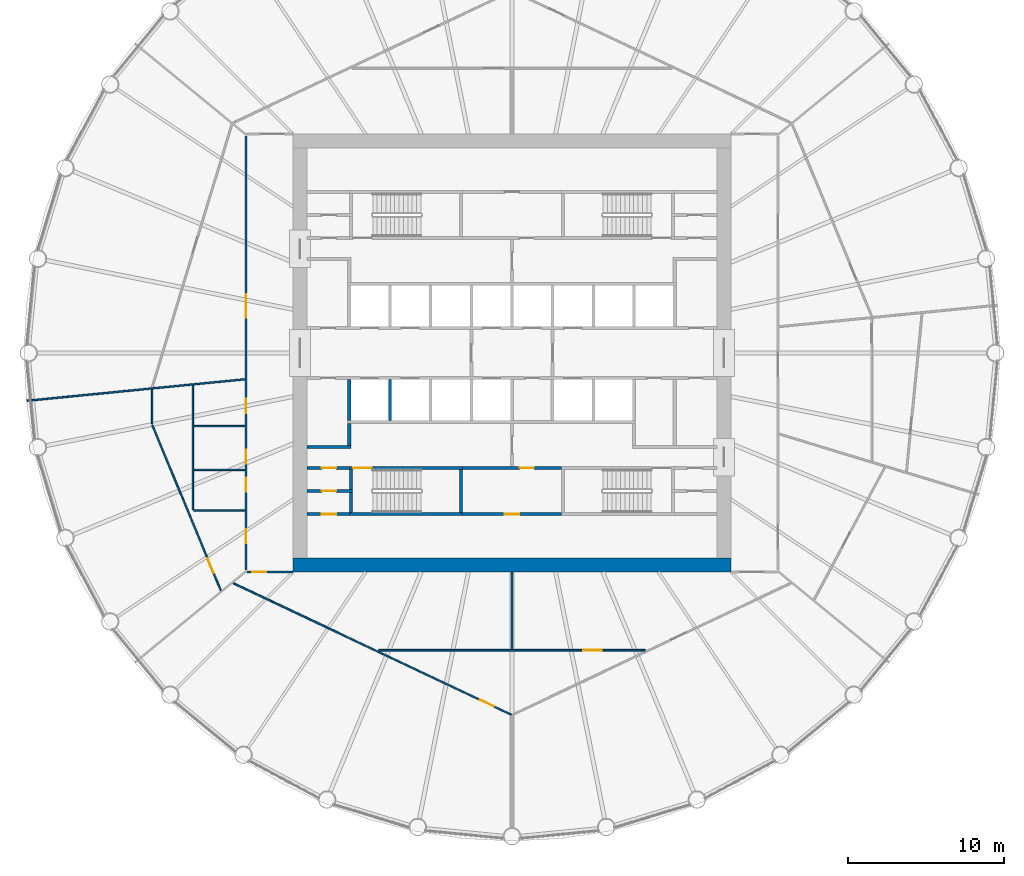
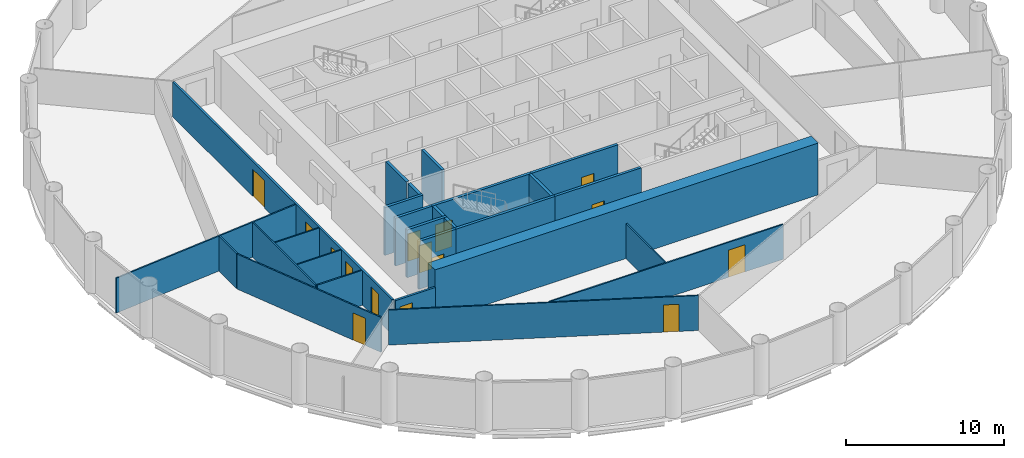
# One storey, part 4 of 9: 27 walls, 15 doors, 15 openings.
"""IFC4 building model written with IfcOpenShell, lengths in metres."""

from ifc_helpers import new_model, si_unit, direction, frame, frame_2d, origin, place, context, subcontext, project, spatial, polyline, rectangle, outline, extrude, material, layer, layer_set, type_object, element, fill, save


model = new_model("IFC4")

# Units and contexts
model_context = context("Model", 3, precision=1e-05, world=origin(), true_north=direction((0.0, 1.0)))
body_context = subcontext(model_context, "Body", "Model", "MODEL_VIEW")
ifc_project = project(units=[si_unit("LENGTHUNIT", "METRE"), si_unit("AREAUNIT", "SQUARE_METRE"), si_unit("VOLUMEUNIT", "CUBIC_METRE"), si_unit("PLANEANGLEUNIT", "RADIAN"), si_unit("MASSUNIT", "GRAM", prefix="KILO")], contexts=[model_context])

# Site, building, storey
site_placement = place(None, origin())
site = spatial("IfcSite", under=ifc_project, at=site_placement, CompositionType="ELEMENT")
building_placement = place(site_placement, origin())
building = spatial("IfcBuilding", under=site, at=building_placement, Name="Corvane Civic Tower", CompositionType="ELEMENT")
storey_placement = place(building_placement, frame((0.0, 0.0, 172.0)))
storey = spatial("IfcBuildingStorey", under=building, at=storey_placement, Name="L40", CompositionType="ELEMENT", Elevation=172.0)

# Wall
ifc_material_1 = material(Name="Concrete C60/75", Category="concrete")
ifc_layer_1 = layer(ifc_material_1, 0.89990234375)
ifc_layer_set_1 = layer_set([ifc_layer_1], Name="Concrete C60/75")
wall_type_1 = type_object("IfcWallType", Name="CORE WALL 900 C60/75", PredefinedType="SHEAR", material=ifc_layer_set_1)
wall_1_placement = place(storey_placement, frame((-14.0, -13.550048828125, 0.0), z_axis=(0.0, 0.0, 1.0), x_axis=(1.0, 0.0, 0.0)))
element("IfcWall", 1, at=wall_1_placement, inside=storey, type_object=wall_type_1, Name="W-L40-core-S", PredefinedType="SHEAR", context=body_context, shape_type="SweptSolid", body=[
    extrude(rectangle(XDim=28.0, YDim=0.89990234375, at=frame_2d((14.0, 0.0))), origin(), (0.0, 0.0, 1.0), 4.0),
])

# Wall, opening, door
ifc_material_2 = material(Name="Concrete C30/37", Category="concrete")
ifc_layer_2 = layer(ifc_material_2, 0.199951171875)
ifc_layer_set_2 = layer_set([ifc_layer_2], Name="Concrete C30/37")
wall_type_2 = type_object("IfcWallType", Name="CR-WALL-200", PredefinedType="PARTITIONING", material=ifc_layer_set_2)
wall_2_placement = place(storey_placement, frame((-13.10009765625, -10.300048828125, 0.0), z_axis=(0.0, 0.0, 1.0), x_axis=(1.0, 0.0, 0.0)))
wall_2 = element("IfcWall", 2, at=wall_2_placement, inside=storey, type_object=wall_type_2, Name="L40 partition wall", PredefinedType="PARTITIONING", context=body_context, shape_type="SweptSolid", body=[
    extrude(rectangle(XDim=2.7001953125, YDim=0.199951171875, at=frame_2d((1.35009765625, 0.0))), origin(), (0.0, 0.0, 1.0), 3.699951171875),
])
opening_1_placement = place(wall_2_placement, frame((0.949951171875, 0.0, 0.0)))
opening_1 = element("IfcOpeningElement", 3, at=opening_1_placement, cuts=wall_2, Name="Opening L40.C15", PredefinedType="OPENING", context=body_context, shape_type="SweptSolid", body=[
    extrude(rectangle(XDim=0.89990234375, YDim=2.10009765625, at=frame_2d((0.449951171875, 1.050048828125))), frame((0.0, 0.10986328125, 0.0), z_axis=(0.0, -1.0, 0.0), x_axis=(1.0, 0.0, 0.0)), (0.0, 0.0, 1.0), 0.219970703125),
])
ifc_material_3 = material(Name="Steel fire door leaf", Category="steel")
door_type_1 = type_object("IfcDoorType", Name="CR-DOOR-900", OperationType="SINGLE_SWING_LEFT", PredefinedType="DOOR", material=ifc_material_3)
door_1_placement = place(opening_1_placement, origin())
door_1 = element("IfcDoor", 4, at=door_1_placement, inside=storey, type_object=door_type_1, Name="L40 door", OperationType="SINGLE_SWING_LEFT", OverallHeight=2.10009765625, OverallWidth=0.89990234375, PredefinedType="DOOR", context=body_context, shape_type="SweptSolid", body=[
    extrude(rectangle(XDim=0.89990234375, YDim=2.10009765625, at=frame_2d((0.449951171875, 1.050048828125))), frame((0.0, 0.02490234375, 0.0), z_axis=(0.0, -1.0, 0.0), x_axis=(1.0, 0.0, 0.0)), (0.0, 0.0, 1.0), 0.050048828125),
])
fill(opening_1, door_1)

wall_3_placement = place(storey_placement, frame((-3.14990234375, -10.300048828125, 0.0), z_axis=(0.0, 0.0, 1.0), x_axis=(1.0, 0.0, 0.0)))
wall_3 = element("IfcWall", 5, at=wall_3_placement, inside=storey, type_object=wall_type_2, Name="L40 partition wall", PredefinedType="PARTITIONING", context=body_context, shape_type="SweptSolid", body=[
    extrude(rectangle(XDim=6.2998046875, YDim=0.199951171875, at=frame_2d((3.14990234375, 0.0))), origin(), (0.0, 0.0, 1.0), 3.699951171875),
])
opening_2_placement = place(wall_3_placement, frame((2.699951171875, 0.0, 0.0)))
opening_2 = element("IfcOpeningElement", 6, at=opening_2_placement, cuts=wall_3, Name="Opening L40.C10", PredefinedType="OPENING", context=body_context, shape_type="SweptSolid", body=[
    extrude(rectangle(XDim=0.89990234375, YDim=2.10009765625, at=frame_2d((0.449951171875, 1.050048828125))), frame((0.0, 0.10986328125, 0.0), z_axis=(0.0, -1.0, 0.0), x_axis=(1.0, 0.0, 0.0)), (0.0, 0.0, 1.0), 0.219970703125),
])
door_2_placement = place(opening_2_placement, origin())
door_2 = element("IfcDoor", 7, at=door_2_placement, inside=storey, type_object=door_type_1, Name="L40 door", OperationType="SINGLE_SWING_LEFT", OverallHeight=2.10009765625, OverallWidth=0.89990234375, PredefinedType="DOOR", context=body_context, shape_type="SweptSolid", body=[
    extrude(rectangle(XDim=0.89990234375, YDim=2.10009765625, at=frame_2d((0.449951171875, 1.050048828125))), frame((0.0, 0.02490234375, 0.0), z_axis=(0.0, -1.0, 0.0), x_axis=(1.0, 0.0, 0.0)), (0.0, 0.0, 1.0), 0.050048828125),
])
fill(opening_2, door_2)

wall_4_placement = place(storey_placement, frame((-13.10009765625, -8.824951171875, 0.0), z_axis=(0.0, 0.0, 1.0), x_axis=(1.0, 0.0, 0.0)))
wall_4 = element("IfcWall", 8, at=wall_4_placement, inside=storey, type_object=wall_type_2, Name="L40 partition wall", PredefinedType="PARTITIONING", context=body_context, shape_type="SweptSolid", body=[
    extrude(rectangle(XDim=2.900146484375, YDim=0.199951171875, at=frame_2d((1.4501953125, 0.0))), origin(), (0.0, 0.0, 1.0), 3.699951171875),
])
opening_3_placement = place(wall_4_placement, frame((0.949951171875, 0.0, 0.0)))
opening_3 = element("IfcOpeningElement", 9, at=opening_3_placement, cuts=wall_4, Name="Opening L40.C14", PredefinedType="OPENING", context=body_context, shape_type="SweptSolid", body=[
    extrude(rectangle(XDim=0.89990234375, YDim=2.10009765625, at=frame_2d((0.449951171875, 1.050048828125))), frame((0.0, 0.10986328125, 0.0), z_axis=(0.0, -1.0, 0.0), x_axis=(1.0, 0.0, 0.0)), (0.0, 0.0, 1.0), 0.219970703125),
])
door_3_placement = place(opening_3_placement, origin())
door_3 = element("IfcDoor", 10, at=door_3_placement, inside=storey, type_object=door_type_1, Name="L40 door", OperationType="SINGLE_SWING_LEFT", OverallHeight=2.10009765625, OverallWidth=0.89990234375, PredefinedType="DOOR", context=body_context, shape_type="SweptSolid", body=[
    extrude(rectangle(XDim=0.89990234375, YDim=2.10009765625, at=frame_2d((0.449951171875, 1.050048828125))), frame((0.0, 0.02490234375, 0.0), z_axis=(0.0, -1.0, 0.0), x_axis=(1.0, 0.0, 0.0)), (0.0, 0.0, 1.0), 0.050048828125),
])
fill(opening_3, door_3)

wall_5_placement = place(storey_placement, frame((-13.10009765625, -7.35009765625, 0.0), z_axis=(0.0, 0.0, 1.0), x_axis=(1.0, 0.0, 0.0)))
wall_5 = element("IfcWall", 11, at=wall_5_placement, inside=storey, type_object=wall_type_2, Name="L40 core partition wall", PredefinedType="PARTITIONING", context=body_context, shape_type="SweptSolid", body=[
    extrude(rectangle(XDim=2.7001953125, YDim=0.199951171875, at=frame_2d((1.35009765625, 0.0))), origin(), (0.0, 0.0, 1.0), 3.699951171875),
])
opening_4_placement = place(wall_5_placement, frame((0.949951171875, 0.0, 0.0)))
opening_4 = element("IfcOpeningElement", 12, at=opening_4_placement, cuts=wall_5, Name="Opening L40.C13", PredefinedType="OPENING", context=body_context, shape_type="SweptSolid", body=[
    extrude(rectangle(XDim=0.89990234375, YDim=2.10009765625, at=frame_2d((0.449951171875, 1.050048828125))), frame((0.0, 0.10986328125, 0.0), z_axis=(0.0, -1.0, 0.0), x_axis=(1.0, 0.0, 0.0)), (0.0, 0.0, 1.0), 0.219970703125),
])
door_4_placement = place(opening_4_placement, origin())
door_4 = element("IfcDoor", 13, at=door_4_placement, inside=storey, type_object=door_type_1, Name="L40 door", OperationType="SINGLE_SWING_LEFT", OverallHeight=2.10009765625, OverallWidth=0.89990234375, PredefinedType="DOOR", context=body_context, shape_type="SweptSolid", body=[
    extrude(rectangle(XDim=0.89990234375, YDim=2.10009765625, at=frame_2d((0.449951171875, 1.050048828125))), frame((0.0, 0.02490234375, 0.0), z_axis=(0.0, -1.0, 0.0), x_axis=(1.0, 0.0, 0.0)), (0.0, 0.0, 1.0), 0.050048828125),
])
fill(opening_4, door_4)

wall_6_placement = place(storey_placement, frame((-3.14990234375, -7.35009765625, 0.0), z_axis=(0.0, 0.0, 1.0), x_axis=(1.0, 0.0, 0.0)))
wall_6 = element("IfcWall", 14, at=wall_6_placement, inside=storey, type_object=wall_type_2, Name="L40 partition wall", PredefinedType="PARTITIONING", context=body_context, shape_type="SweptSolid", body=[
    extrude(rectangle(XDim=6.2998046875, YDim=0.199951171875, at=frame_2d((3.14990234375, 0.0))), origin(), (0.0, 0.0, 1.0), 3.699951171875),
])
opening_5_placement = place(wall_6_placement, frame((3.64990234375, 0.0, 0.0)))
opening_5 = element("IfcOpeningElement", 15, at=opening_5_placement, cuts=wall_6, Name="Opening L40.C08", PredefinedType="OPENING", context=body_context, shape_type="SweptSolid", body=[
    extrude(rectangle(XDim=0.89990234375, YDim=2.10009765625, at=frame_2d((0.449951171875, 1.050048828125))), frame((0.0, 0.10986328125, 0.0), z_axis=(0.0, -1.0, 0.0), x_axis=(1.0, 0.0, 0.0)), (0.0, 0.0, 1.0), 0.219970703125),
])
door_5_placement = place(opening_5_placement, origin())
door_5 = element("IfcDoor", 16, at=door_5_placement, inside=storey, type_object=door_type_1, Name="L40 door", OperationType="SINGLE_SWING_LEFT", OverallHeight=2.10009765625, OverallWidth=0.89990234375, PredefinedType="DOOR", context=body_context, shape_type="SweptSolid", body=[
    extrude(rectangle(XDim=0.89990234375, YDim=2.10009765625, at=frame_2d((0.449951171875, 1.050048828125))), frame((0.0, 0.02490234375, 0.0), z_axis=(0.0, -1.0, 0.0), x_axis=(1.0, 0.0, 0.0)), (0.0, 0.0, 1.0), 0.050048828125),
])
fill(opening_5, door_5)

# Walls
wall_7_placement = place(storey_placement, origin())
element("IfcWall", 17, at=wall_7_placement, inside=storey, type_object=wall_type_2, Name="L40 core partition wall", PredefinedType="PARTITIONING", context=body_context, shape_type="SweptSolid", body=[
    extrude(outline(polyline([(-10.300048828125, -6.10009765625), (-13.10009765625, -6.10009765625), (-13.10009765625, -5.89990234375), (-10.300048828125, -5.89990234375), (-10.300048828125, -6.10009765625)])), origin(), (0.0, 0.0, 1.0), 3.699951171875),
])
wall_8_placement = place(storey_placement, origin())
element("IfcWall", 18, at=wall_8_placement, inside=storey, type_object=wall_type_2, Name="L40 core partition wall", PredefinedType="PARTITIONING", context=body_context, shape_type="SweptSolid", body=[
    extrude(outline(polyline([(-10.300048828125, -1.699951171875), (-10.300048828125, -4.2998046875), (-10.5, -4.2998046875), (-10.5, -1.699951171875), (-10.300048828125, -1.699951171875)])), origin(), (0.0, 0.0, 1.0), 3.699951171875),
])
wall_9_placement = place(storey_placement, origin())
element("IfcWall", 19, at=wall_9_placement, inside=storey, type_object=wall_type_2, Name="L40 core partition wall", PredefinedType="PARTITIONING", context=body_context, shape_type="SweptSolid", body=[
    extrude(outline(polyline([(-7.699951171875, -1.699951171875), (-7.699951171875, -4.2998046875), (-7.89990234375, -4.2998046875), (-7.89990234375, -1.699951171875), (-7.699951171875, -1.699951171875)])), origin(), (0.0, 0.0, 1.0), 3.699951171875),
])
wall_10_placement = place(storey_placement, origin())
element("IfcWall", 20, at=wall_10_placement, inside=storey, type_object=wall_type_2, Name="L40 core partition wall", PredefinedType="PARTITIONING", context=body_context, shape_type="SweptSolid", body=[
    extrude(outline(polyline([(-10.300048828125, -5.89990234375), (-10.5, -5.89990234375), (-10.5, -4.5), (-10.300048828125, -4.5), (-10.300048828125, -5.89990234375)])), origin(), (0.0, 0.0, 1.0), 3.699951171875),
])

# Wall, opening, door
ifc_material_4 = material(Name="Plasterboard")
ifc_layer_3 = layer(ifc_material_4, 0.10009765625)
ifc_layer_set_3 = layer_set([ifc_layer_3], Name="Plasterboard")
wall_type_3 = type_object("IfcWallType", Name="Partition 100 plasterboard on studs", PredefinedType="PARTITIONING", material=ifc_layer_set_3)
wall_11_placement = place(storey_placement, frame((-17.81640625, -14.714111328125, 0.0), z_axis=(0.0, 0.0, 1.0), x_axis=(0.903992844698, -0.427547584176, 0.0)))
wall_11 = element("IfcWall", 21, at=wall_11_placement, inside=storey, type_object=wall_type_3, Name="Partition L40.002", PredefinedType="PARTITIONING", context=body_context, shape_type="SweptSolid", body=[
    extrude(rectangle(XDim=19.677001953125, YDim=0.10009765625, at=frame_2d((9.83837890625, 0.0))), origin(), (0.0, 0.0, 1.0), 2.699951171875),
])
opening_6_placement = place(wall_11_placement, frame((17.44677734375, 0.0, 0.0)))
opening_6 = element("IfcOpeningElement", 22, at=opening_6_placement, cuts=wall_11, Name="Opening L40.007", PredefinedType="OPENING", context=body_context, shape_type="SweptSolid", body=[
    extrude(rectangle(XDim=1.0, YDim=2.10009765625, at=frame_2d((0.5, 1.050048828125))), frame((0.0, 0.06005859375, 0.0), z_axis=(0.0, -1.0, 0.0), x_axis=(1.0, 0.0, 0.0)), (0.0, 0.0, 1.0), 0.1201171875),
])
ifc_material_5 = material(Name="Timber", Category="wood")
door_type_2 = type_object("IfcDoorType", Name="Single door 1000", OperationType="NOTDEFINED", PredefinedType="DOOR", material=ifc_material_5)
door_6_placement = place(opening_6_placement, frame((1.0, 0.0, 0.0), z_axis=(0.0, 0.0, 1.0), x_axis=(-1.0, 0.0, 0.0)))
door_6 = element("IfcDoor", 23, at=door_6_placement, inside=storey, type_object=door_type_2, Name="Door L40.007", OperationType="SINGLE_SWING_LEFT", OverallHeight=2.10009765625, OverallWidth=1.0, PredefinedType="DOOR", context=body_context, shape_type="SweptSolid", body=[
    extrude(rectangle(XDim=1.0, YDim=2.10009765625, at=frame_2d((0.5, 1.050048828125))), frame((0.0, 0.02490234375, 0.0), z_axis=(0.0, -1.0, 0.0), x_axis=(1.0, 0.0, 0.0)), (0.0, 0.0, 1.0), 0.050048828125),
])
fill(opening_6, door_6)

wall_12_placement = place(storey_placement, frame((-8.53173828125, -19.0, 0.0), z_axis=(0.0, 0.0, 1.0), x_axis=(1.0, 0.0, 0.0)))
wall_12 = element("IfcWall", 24, at=wall_12_placement, inside=storey, type_object=wall_type_3, Name="Partition L40.006", PredefinedType="PARTITIONING", context=body_context, shape_type="SweptSolid", body=[
    extrude(rectangle(XDim=17.0634765625, YDim=0.10009765625, at=frame_2d((8.53173828125, 0.0))), origin(), (0.0, 0.0, 1.0), 2.699951171875),
])
opening_7_placement = place(wall_12_placement, frame((13.073974609375, 0.0, 0.0)))
opening_7 = element("IfcOpeningElement", 25, at=opening_7_placement, cuts=wall_12, Name="Opening L40.008", PredefinedType="OPENING", context=body_context, shape_type="SweptSolid", body=[
    extrude(rectangle(XDim=1.199951171875, YDim=2.10009765625, at=frame_2d((0.60009765625, 1.050048828125))), frame((0.0, 0.06005859375, 0.0), z_axis=(0.0, -1.0, 0.0), x_axis=(1.0, 0.0, 0.0)), (0.0, 0.0, 1.0), 0.1201171875),
])
ifc_material_6 = material(Name="Timber", Category="wood")
door_type_3 = type_object("IfcDoorType", Name="Double door 1200", OperationType="NOTDEFINED", PredefinedType="DOOR", material=ifc_material_6)
door_7_placement = place(opening_7_placement, frame((1.199951171875, 0.0, 0.0), z_axis=(0.0, 0.0, 1.0), x_axis=(-1.0, 0.0, 0.0)))
door_7 = element("IfcDoor", 26, at=door_7_placement, inside=storey, type_object=door_type_3, Name="Door L40.008", OperationType="DOUBLE_DOOR_SINGLE_SWING", OverallHeight=2.10009765625, OverallWidth=1.199951171875, PredefinedType="DOOR", context=body_context, shape_type="SweptSolid", body=[
    extrude(rectangle(XDim=1.199951171875, YDim=2.10009765625, at=frame_2d((0.60009765625, 1.050048828125))), frame((0.0, 0.02490234375, 0.0), z_axis=(0.0, -1.0, 0.0), x_axis=(1.0, 0.0, 0.0)), (0.0, 0.0, 1.0), 0.050048828125),
])
fill(opening_7, door_7)

# Wall
wall_13_placement = place(storey_placement, frame((0.0, -18.949951171875, 0.0), z_axis=(0.0, 0.0, 1.0), x_axis=(0.0, 1.0, 0.0)))
element("IfcWall", 27, at=wall_13_placement, inside=storey, type_object=wall_type_3, Name="Partition L40.007", PredefinedType="PARTITIONING", context=body_context, shape_type="SweptSolid", body=[
    extrude(rectangle(XDim=4.949951171875, YDim=0.10009765625, at=frame_2d((2.47509765625, 0.0))), origin(), (0.0, 0.0, 1.0), 2.699951171875),
])

# Wall, opening, door
wall_14_placement = place(storey_placement, frame((-22.99609375, -4.60107421875, 0.0), z_axis=(0.0, 0.0, 1.0), x_axis=(0.382686043077, -0.923878451115, 0.0)))
wall_14 = element("IfcWall", 28, at=wall_14_placement, inside=storey, type_object=wall_type_3, Name="Partition L40.009", PredefinedType="PARTITIONING", context=body_context, shape_type="SweptSolid", body=[
    extrude(rectangle(XDim=11.4609375, YDim=0.10009765625, at=frame_2d((5.73046875, 0.0))), origin(), (0.0, 0.0, 1.0), 2.699951171875),
])
opening_8_placement = place(wall_14_placement, frame((9.234619140625, 0.0, 0.0)))
opening_8 = element("IfcOpeningElement", 29, at=opening_8_placement, cuts=wall_14, Name="Opening L40.018", PredefinedType="OPENING", context=body_context, shape_type="SweptSolid", body=[
    extrude(rectangle(XDim=1.0, YDim=2.10009765625, at=frame_2d((0.5, 1.050048828125))), frame((0.0, 0.06005859375, 0.0), z_axis=(0.0, -1.0, 0.0), x_axis=(1.0, 0.0, 0.0)), (0.0, 0.0, 1.0), 0.1201171875),
])
door_8_placement = place(opening_8_placement, frame((1.0, 0.0, 0.0), z_axis=(0.0, 0.0, 1.0), x_axis=(-1.0, 0.0, 0.0)))
door_8 = element("IfcDoor", 30, at=door_8_placement, inside=storey, type_object=door_type_2, Name="Door L40.018", OperationType="SINGLE_SWING_RIGHT", OverallHeight=2.10009765625, OverallWidth=1.0, PredefinedType="DOOR", context=body_context, shape_type="SweptSolid", body=[
    extrude(rectangle(XDim=1.0, YDim=2.10009765625, at=frame_2d((0.5, 1.050048828125))), frame((0.0, 0.02490234375, 0.0), z_axis=(0.0, -1.0, 0.0), x_axis=(1.0, 0.0, 0.0)), (0.0, 0.0, 1.0), 0.050048828125),
])
fill(opening_8, door_8)

# Walls
wall_15_placement = place(storey_placement, frame((-20.35009765625, -10.074462890625, 0.0), z_axis=(0.0, 0.0, 1.0), x_axis=(1.0, 0.0, 0.0)))
element("IfcWall", 31, at=wall_15_placement, inside=storey, type_object=wall_type_3, Name="Partition L40.014", PredefinedType="PARTITIONING", context=body_context, shape_type="SweptSolid", body=[
    extrude(rectangle(XDim=3.275146484375, YDim=0.10009765625, at=frame_2d((1.6376953125, 0.0))), origin(), (0.0, 0.0, 1.0), 2.699951171875),
])
wall_16_placement = place(storey_placement, frame((-20.39990234375, -10.0244140625, 0.0), z_axis=(0.0, 0.0, 1.0), x_axis=(0.0, 1.0, 0.0)))
element("IfcWall", 32, at=wall_16_placement, inside=storey, type_object=wall_type_3, Name="Partition L40.015", PredefinedType="PARTITIONING", context=body_context, shape_type="SweptSolid", body=[
    extrude(rectangle(XDim=7.9599609375, YDim=0.10009765625, at=frame_2d((3.97998046875, 0.0))), origin(), (0.0, 0.0, 1.0), 2.699951171875),
])
for number, where, z_axis, x_axis, name in (
    (33, (-20.35009765625, -7.474365234375, 0.0), (0.0, 0.0, 1.0), (1.0, 0.0, 0.0), "Partition L40.018"),
    (34, (-20.35009765625, -4.67431640625, 0.0), (0.0, 0.0, 1.0), (1.0, 0.0, 0.0), "Partition L40.020"),
):
    element("IfcWall", number, at=place(storey_placement, frame(where, z_axis=z_axis, x_axis=x_axis)), inside=storey, type_object=wall_type_3, Name=name, PredefinedType="PARTITIONING", context=body_context, shape_type="SweptSolid", body=[
        extrude(rectangle(XDim=3.275146484375, YDim=0.10009765625, at=frame_2d((1.6376953125, 0.0))), origin(), (0.0, 0.0, 1.0), 2.699951171875),
    ])
wall_17_placement = place(storey_placement, frame((-23.0, -4.532470703125, 0.0), z_axis=(0.0, 0.0, 1.0), x_axis=(0.0, 1.0, 0.0)))
element("IfcWall", 35, at=wall_17_placement, inside=storey, type_object=wall_type_3, Name="Partition L40.021", PredefinedType="PARTITIONING", context=body_context, shape_type="SweptSolid", body=[
    extrude(rectangle(XDim=2.2119140625, YDim=0.10009765625, at=frame_2d((1.10595703125, 0.0))), origin(), (0.0, 0.0, 1.0), 2.699951171875),
])
wall_18_placement = place(storey_placement, frame((-31.000244140625, -3.05322265625, 0.0), z_axis=(0.0, 0.0, 1.0), x_axis=(0.995184356936, 0.098020894254, 0.0)))
element("IfcWall", 36, at=wall_18_placement, inside=storey, type_object=wall_type_3, Name="Partition L40.022", PredefinedType="PARTITIONING", context=body_context, shape_type="SweptSolid", body=[
    extrude(rectangle(XDim=13.98779296875, YDim=0.10009765625, at=frame_2d((6.993896484375, 0.0))), origin(), (0.0, 0.0, 1.0), 2.699951171875),
])

# Wall, opening, door
ifc_material_7 = material(Name="Concrete C50/60", Category="concrete")
ifc_layer_4 = layer(ifc_material_7, 0.199951171875)
ifc_layer_set_4 = layer_set([ifc_layer_4], Name="Concrete C50/60")
wall_type_4 = type_object("IfcWallType", Name="ST-WALL-200", PredefinedType="SHEAR", material=ifc_layer_set_4)
wall_19_placement = place(storey_placement, frame((-10.39990234375, -7.35009765625, 0.0), z_axis=(0.0, 0.0, 1.0), x_axis=(1.0, 0.0, 0.0)))
wall_19 = element("IfcWall", 37, at=wall_19_placement, inside=storey, type_object=wall_type_4, Name="L40 stair enclosure wall", PredefinedType="SHEAR", context=body_context, shape_type="SweptSolid", body=[
    extrude(rectangle(XDim=7.25, YDim=0.199951171875, at=frame_2d((3.625, 0.0))), origin(), (0.0, 0.0, 1.0), 3.699951171875),
])
opening_9_placement = place(wall_19_placement, frame((0.25, 0.0, 0.0)))
opening_9 = element("IfcOpeningElement", 38, at=opening_9_placement, cuts=wall_19, Name="Opening L40.C23", PredefinedType="OPENING", context=body_context, shape_type="SweptSolid", body=[
    extrude(rectangle(XDim=1.199951171875, YDim=2.10009765625, at=frame_2d((0.60009765625, 1.050048828125))), frame((0.0, 0.10986328125, 0.0), z_axis=(0.0, -1.0, 0.0), x_axis=(1.0, 0.0, 0.0)), (0.0, 0.0, 1.0), 0.219970703125),
])
ifc_material_8 = material(Name="Steel fire door leaf", Category="steel")
door_type_4 = type_object("IfcDoorType", Name="ST-DOOR-1200", OperationType="SINGLE_SWING_RIGHT", PredefinedType="DOOR", material=ifc_material_8)
door_9_placement = place(opening_9_placement, origin())
door_9 = element("IfcDoor", 39, at=door_9_placement, inside=storey, type_object=door_type_4, Name="L40 stair door", OperationType="SINGLE_SWING_RIGHT", OverallHeight=2.10009765625, OverallWidth=1.199951171875, PredefinedType="DOOR", context=body_context, shape_type="SweptSolid", body=[
    extrude(rectangle(XDim=1.199951171875, YDim=2.10009765625, at=frame_2d((0.60009765625, 1.050048828125))), frame((0.0, 0.02490234375, 0.0), z_axis=(0.0, -1.0, 0.0), x_axis=(1.0, 0.0, 0.0)), (0.0, 0.0, 1.0), 0.050048828125),
])
fill(opening_9, door_9)

# Walls
wall_20_placement = place(storey_placement, origin())
element("IfcWall", 40, at=wall_20_placement, inside=storey, type_object=wall_type_4, Name="L40 stair enclosure wall", PredefinedType="SHEAR", context=body_context, shape_type="SweptSolid", body=[
    extrude(outline(polyline([(-3.14990234375, -10.199951171875), (-3.14990234375, -10.39990234375), (-10.39990234375, -10.39990234375), (-10.39990234375, -10.199951171875), (-3.14990234375, -10.199951171875)])), origin(), (0.0, 0.0, 1.0), 3.699951171875),
])
wall_21_placement = place(storey_placement, origin())
element("IfcWall", 41, at=wall_21_placement, inside=storey, type_object=wall_type_4, Name="L40 stair enclosure wall", PredefinedType="SHEAR", context=body_context, shape_type="SweptSolid", body=[
    extrude(outline(polyline([(-3.14990234375, -7.449951171875), (-3.14990234375, -10.199951171875), (-3.35009765625, -10.199951171875), (-3.35009765625, -7.449951171875), (-3.14990234375, -7.449951171875)])), origin(), (0.0, 0.0, 1.0), 3.699951171875),
])
wall_22_placement = place(storey_placement, origin())
element("IfcWall", 42, at=wall_22_placement, inside=storey, type_object=wall_type_4, Name="L40 stair enclosure wall", PredefinedType="SHEAR", context=body_context, shape_type="SweptSolid", body=[
    extrude(outline(polyline([(-10.199951171875, -7.449951171875), (-10.199951171875, -8.72509765625), (-10.39990234375, -8.72509765625), (-10.39990234375, -7.449951171875), (-10.199951171875, -7.449951171875)])), origin(), (0.0, 0.0, 1.0), 3.699951171875),
])
wall_23_placement = place(storey_placement, origin())
element("IfcWall", 43, at=wall_23_placement, inside=storey, type_object=wall_type_4, Name="L40 stair enclosure wall", PredefinedType="SHEAR", context=body_context, shape_type="SweptSolid", body=[
    extrude(outline(polyline([(-10.199951171875, -8.925048828125), (-10.199951171875, -10.199951171875), (-10.39990234375, -10.199951171875), (-10.39990234375, -8.925048828125), (-10.199951171875, -8.925048828125)])), origin(), (0.0, 0.0, 1.0), 3.699951171875),
])

# Wall, opening, door
ifc_material_9 = material(Name="Plasterboard")
ifc_layer_5 = layer(ifc_material_9, 0.14990234375)
ifc_layer_set_5 = layer_set([ifc_layer_5], Name="Plasterboard")
wall_type_5 = type_object("IfcWallType", Name="Tenancy wall 150 EI 60", PredefinedType="PARTITIONING", material=ifc_layer_set_5)
wall_24_placement = place(storey_placement, frame((-16.925048828125, -14.0, 0.0), z_axis=(0.0, 0.0, 1.0), x_axis=(1.0, 0.0, 0.0)))
wall_24 = element("IfcWall", 44, at=wall_24_placement, inside=storey, type_object=wall_type_5, Name="Partition L40.010", PredefinedType="PARTITIONING", context=body_context, shape_type="SweptSolid", body=[
    extrude(rectangle(XDim=2.93505859375, YDim=0.14990234375, at=frame_2d((1.467529296875, 0.0))), origin(), (0.0, 0.0, 1.0), 2.699951171875),
])
opening_10_placement = place(wall_24_placement, frame((0.326904296875, 0.0, 0.0)))
opening_10 = element("IfcOpeningElement", 45, at=opening_10_placement, cuts=wall_24, Name="Opening L40.010", PredefinedType="OPENING", context=body_context, shape_type="SweptSolid", body=[
    extrude(rectangle(XDim=0.89990234375, YDim=2.10009765625, at=frame_2d((0.449951171875, 1.050048828125))), frame((0.0, 0.0849609375, 0.0), z_axis=(0.0, -1.0, 0.0), x_axis=(1.0, 0.0, 0.0)), (0.0, 0.0, 1.0), 0.169921875),
])
ifc_material_10 = material(Name="Steel and timber", Category="steel")
door_type_5 = type_object("IfcDoorType", Name="Fire door FD30S 900", OperationType="NOTDEFINED", PredefinedType="DOOR", material=ifc_material_10)
door_10_placement = place(opening_10_placement, frame((0.89990234375, 0.0, 0.0), z_axis=(0.0, 0.0, 1.0), x_axis=(-1.0, 0.0, 0.0)))
door_10 = element("IfcDoor", 46, at=door_10_placement, inside=storey, type_object=door_type_5, Name="Door L40.010", OperationType="SINGLE_SWING_LEFT", OverallHeight=2.10009765625, OverallWidth=0.89990234375, PredefinedType="DOOR", context=body_context, shape_type="SweptSolid", body=[
    extrude(rectangle(XDim=0.89990234375, YDim=2.10009765625, at=frame_2d((0.449951171875, 1.050048828125))), frame((0.0, 0.02490234375, 0.0), z_axis=(0.0, -1.0, 0.0), x_axis=(1.0, 0.0, 0.0)), (0.0, 0.0, 1.0), 0.050048828125),
])
fill(opening_10, door_10)

# Wall, openings, doors
wall_25_placement = place(storey_placement, frame((-17.0, -13.87646484375, 0.0), z_axis=(0.0, 0.0, 1.0), x_axis=(0.0, 1.0, 0.0)))
wall_25 = element("IfcWall", 47, at=wall_25_placement, inside=storey, type_object=wall_type_5, Name="Partition L40.012", PredefinedType="PARTITIONING", context=body_context, shape_type="SweptSolid", body=[
    extrude(rectangle(XDim=27.7529296875, YDim=0.14990234375, at=frame_2d((13.87646484375, 0.0))), origin(), (0.0, 0.0, 1.0), 2.699951171875),
])
opening_11_placement = place(wall_25_placement, frame((1.72119140625, 0.0, 0.0)))
opening_11 = element("IfcOpeningElement", 48, at=opening_11_placement, cuts=wall_25, Name="Opening L40.019", PredefinedType="OPENING", context=body_context, shape_type="SweptSolid", body=[
    extrude(rectangle(XDim=0.89990234375, YDim=2.10009765625, at=frame_2d((0.449951171875, 1.050048828125))), frame((0.0, 0.0849609375, 0.0), z_axis=(0.0, -1.0, 0.0), x_axis=(1.0, 0.0, 0.0)), (0.0, 0.0, 1.0), 0.169921875),
])
opening_12_placement = place(wall_25_placement, frame((10.036376953125, 0.0, 0.0)))
opening_12 = element("IfcOpeningElement", 49, at=opening_12_placement, cuts=wall_25, Name="Opening L40.020", PredefinedType="OPENING", context=body_context, shape_type="SweptSolid", body=[
    extrude(rectangle(XDim=0.89990234375, YDim=2.10009765625, at=frame_2d((0.449951171875, 1.050048828125))), frame((0.0, 0.0849609375, 0.0), z_axis=(0.0, -1.0, 0.0), x_axis=(1.0, 0.0, 0.0)), (0.0, 0.0, 1.0), 0.169921875),
])
opening_13_placement = place(wall_25_placement, frame((6.806884765625, 0.0, 0.0)))
opening_13 = element("IfcOpeningElement", 50, at=opening_13_placement, cuts=wall_25, Name="Opening L40.021", PredefinedType="OPENING", context=body_context, shape_type="SweptSolid", body=[
    extrude(rectangle(XDim=0.89990234375, YDim=2.10009765625, at=frame_2d((0.449951171875, 1.050048828125))), frame((0.0, 0.0849609375, 0.0), z_axis=(0.0, -1.0, 0.0), x_axis=(1.0, 0.0, 0.0)), (0.0, 0.0, 1.0), 0.169921875),
])
opening_14_placement = place(wall_25_placement, frame((5.006103515625, 0.0, 0.0)))
opening_14 = element("IfcOpeningElement", 51, at=opening_14_placement, cuts=wall_25, Name="Opening L40.022", PredefinedType="OPENING", context=body_context, shape_type="SweptSolid", body=[
    extrude(rectangle(XDim=0.89990234375, YDim=2.10009765625, at=frame_2d((0.449951171875, 1.050048828125))), frame((0.0, 0.0849609375, 0.0), z_axis=(0.0, -1.0, 0.0), x_axis=(1.0, 0.0, 0.0)), (0.0, 0.0, 1.0), 0.169921875),
])
opening_15_placement = place(wall_25_placement, frame((16.13671875, 0.0, 0.0)))
opening_15 = element("IfcOpeningElement", 52, at=opening_15_placement, cuts=wall_25, Name="Opening L40.024", PredefinedType="OPENING", context=body_context, shape_type="SweptSolid", body=[
    extrude(rectangle(XDim=1.5, YDim=2.10009765625, at=frame_2d((0.75, 1.050048828125))), frame((0.0, 0.0849609375, 0.0), z_axis=(0.0, -1.0, 0.0), x_axis=(1.0, 0.0, 0.0)), (0.0, 0.0, 1.0), 0.169921875),
])
door_11_placement = place(opening_11_placement, origin())
door_11 = element("IfcDoor", 53, at=door_11_placement, inside=storey, type_object=door_type_5, Name="Door L40.019", OperationType="SINGLE_SWING_LEFT", OverallHeight=2.10009765625, OverallWidth=0.89990234375, PredefinedType="DOOR", context=body_context, shape_type="SweptSolid", body=[
    extrude(rectangle(XDim=0.89990234375, YDim=2.10009765625, at=frame_2d((0.449951171875, 1.050048828125))), frame((0.0, 0.02490234375, 0.0), z_axis=(0.0, -1.0, 0.0), x_axis=(1.0, 0.0, 0.0)), (0.0, 0.0, 1.0), 0.050048828125),
])
fill(opening_11, door_11)
door_12_placement = place(opening_12_placement, origin())
door_12 = element("IfcDoor", 54, at=door_12_placement, inside=storey, type_object=door_type_5, Name="Door L40.020", OperationType="SINGLE_SWING_LEFT", OverallHeight=2.10009765625, OverallWidth=0.89990234375, PredefinedType="DOOR", context=body_context, shape_type="SweptSolid", body=[
    extrude(rectangle(XDim=0.89990234375, YDim=2.10009765625, at=frame_2d((0.449951171875, 1.050048828125))), frame((0.0, 0.02490234375, 0.0), z_axis=(0.0, -1.0, 0.0), x_axis=(1.0, 0.0, 0.0)), (0.0, 0.0, 1.0), 0.050048828125),
])
fill(opening_12, door_12)
door_13_placement = place(opening_13_placement, origin())
door_13 = element("IfcDoor", 55, at=door_13_placement, inside=storey, type_object=door_type_5, Name="Door L40.021", OperationType="SINGLE_SWING_RIGHT", OverallHeight=2.10009765625, OverallWidth=0.89990234375, PredefinedType="DOOR", context=body_context, shape_type="SweptSolid", body=[
    extrude(rectangle(XDim=0.89990234375, YDim=2.10009765625, at=frame_2d((0.449951171875, 1.050048828125))), frame((0.0, 0.02490234375, 0.0), z_axis=(0.0, -1.0, 0.0), x_axis=(1.0, 0.0, 0.0)), (0.0, 0.0, 1.0), 0.050048828125),
])
fill(opening_13, door_13)
door_14_placement = place(opening_14_placement, origin())
door_14 = element("IfcDoor", 56, at=door_14_placement, inside=storey, type_object=door_type_5, Name="Door L40.022", OperationType="SINGLE_SWING_LEFT", OverallHeight=2.10009765625, OverallWidth=0.89990234375, PredefinedType="DOOR", context=body_context, shape_type="SweptSolid", body=[
    extrude(rectangle(XDim=0.89990234375, YDim=2.10009765625, at=frame_2d((0.449951171875, 1.050048828125))), frame((0.0, 0.02490234375, 0.0), z_axis=(0.0, -1.0, 0.0), x_axis=(1.0, 0.0, 0.0)), (0.0, 0.0, 1.0), 0.050048828125),
])
fill(opening_14, door_14)
ifc_material_11 = material(Name="Steel and timber", Category="steel")
door_type_6 = type_object("IfcDoorType", Name="Fire door FD60 double 1500", OperationType="NOTDEFINED", PredefinedType="DOOR", material=ifc_material_11)
door_15_placement = place(opening_15_placement, origin())
door_15 = element("IfcDoor", 57, at=door_15_placement, inside=storey, type_object=door_type_6, Name="Door L40.024", OperationType="DOUBLE_DOOR_SINGLE_SWING", OverallHeight=2.10009765625, OverallWidth=1.5, PredefinedType="DOOR", context=body_context, shape_type="SweptSolid", body=[
    extrude(rectangle(XDim=1.5, YDim=2.10009765625, at=frame_2d((0.75, 1.050048828125))), frame((0.0, 0.02490234375, 0.0), z_axis=(0.0, -1.0, 0.0), x_axis=(1.0, 0.0, 0.0)), (0.0, 0.0, 1.0), 0.050048828125),
])
fill(opening_15, door_15)

save(model, "model.ifc")
